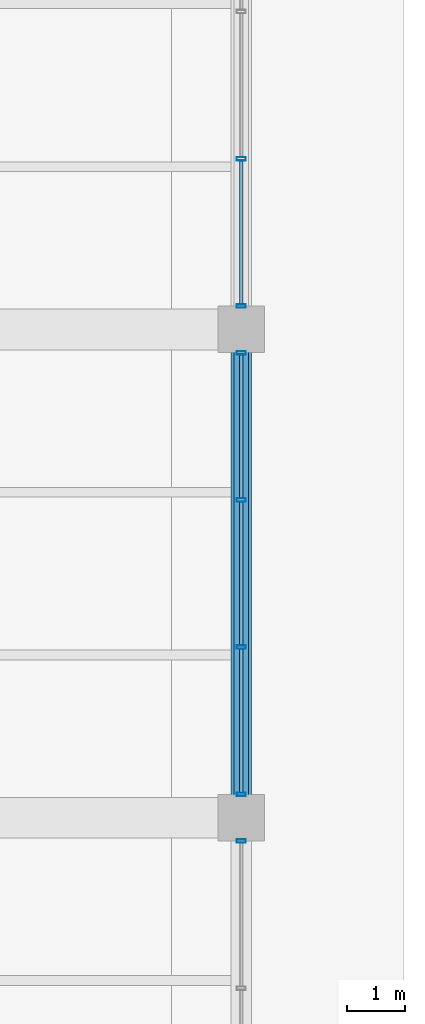
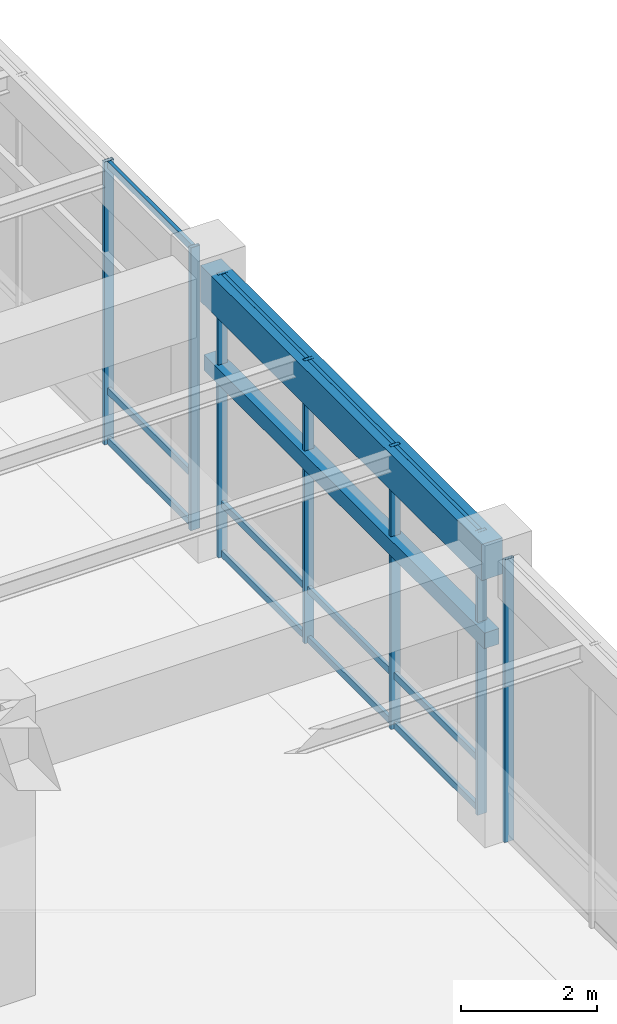
# One storey, part 103 of 157: 19 members, 2 beams, 3 elements without a shape of their own.
"""IFC4 building model written with IfcOpenShell, lengths in metres."""

from ifc_helpers import new_model, si_unit, direction, frame, origin, origin_2d, place, context, subcontext, project, spatial, rectangle, hollow_rectangle, extrude, material, material_profile, profile_set, type_object, element, aggregate, save


model = new_model("IFC4")

# Units and contexts
model_context = context("Model", 3, precision=1e-05, world=origin(), true_north=direction((0.0, 1.0)))
body_context = subcontext(model_context, "Body", "Model", "MODEL_VIEW")
ifc_project = project(units=[si_unit("LENGTHUNIT", "METRE"), si_unit("AREAUNIT", "SQUARE_METRE"), si_unit("VOLUMEUNIT", "CUBIC_METRE"), si_unit("PLANEANGLEUNIT", "RADIAN"), si_unit("MASSUNIT", "GRAM", prefix="KILO"), si_unit("THERMODYNAMICTEMPERATUREUNIT", "KELVIN"), si_unit("POWERUNIT", "WATT")], contexts=[model_context])

# Site, building, storey
site_placement = place(None, origin())
site = spatial("IfcSite", under=ifc_project, at=site_placement, CompositionType="ELEMENT")
building_placement = place(site_placement, origin())
building = spatial("IfcBuilding", under=site, at=building_placement, Name="Darbajah Civic Hall", CompositionType="ELEMENT")
storey_placement = place(building_placement, origin())
storey = spatial("IfcBuildingStorey", under=building, at=storey_placement, Name="L00", CompositionType="ELEMENT", Elevation=0.0)

# Curtain wall, member
ifc_material_1 = material(Name="Anodised Bronze Aluminium and Low-E Glazing", Category="aluminium")
curtain_wall_type = type_object("IfcCurtainWallType", Name="Unitised Curtain Wall CW-95 7600x5050", PredefinedType="USERDEFINED", material=ifc_material_1)
curtain_wall_1_placement = place(storey_placement, origin())
curtain_wall_1 = element("IfcCurtainWall", 1, at=curtain_wall_1_placement, inside=storey, type_object=curtain_wall_type, Name="L00 unitised curtain wall CW-V4-L00-S1-B0", ObjectType="UNITISED CURTAIN WALL", PredefinedType="USERDEFINED")
ifc_material_2 = material(Name="Anodised Bronze Aluminium", Category="aluminium")
ifc_material_profile_1 = material_profile(ifc_material_2, hollow_rectangle(XDim=0.06005859375, YDim=0.159912109375, WallThickness=0.00341796875, at=origin_2d()), Name="ALU MULLION 60x160")
ifc_profile_set_1 = profile_set([ifc_material_profile_1], Name="Anodised Bronze Aluminium")
member_type_1 = type_object("IfcMemberType", Name="ALU MULLION 60x160", PredefinedType="MULLION", material=ifc_profile_set_1)
member_1_placement = place(storey_placement, frame((178.199951171875, 64.39794921875, 0.0), z_axis=(0.0, 0.0, 1.0), x_axis=(0.0, 1.0, 0.0)))
member_1 = element("IfcMember", 2, at=member_1_placement, type_object=member_type_1, Name="CW-V4-L00-S1-B0 mullion 4", PredefinedType="MULLION", context=body_context, shape_type="SweptSolid", body=[
    extrude(hollow_rectangle(XDim=0.06005859375, YDim=0.159912109375, WallThickness=0.00341796875, at=origin_2d()), origin(), (0.0, 0.0, 1.0), 5.06005859375),
])
aggregate(curtain_wall_1, [member_1])

# Curtain wall, members
curtain_wall_2_placement = place(storey_placement, origin())
curtain_wall_2 = element("IfcCurtainWall", 3, at=curtain_wall_2_placement, inside=storey, type_object=curtain_wall_type, Name="L00 unitised curtain wall CW-V4-L00-S1-B1", ObjectType="UNITISED CURTAIN WALL", PredefinedType="USERDEFINED")
member_2_placement = place(storey_placement, frame((178.199951171875, 65.201904296875, 0.0), z_axis=(0.0, 0.0, 1.0), x_axis=(0.0, 1.0, 0.0)))
member_2 = element("IfcMember", 4, at=member_2_placement, type_object=member_type_1, Name="CW-V4-L00-S1-B1 mullion 1", PredefinedType="MULLION", context=body_context, shape_type="SweptSolid", body=[
    extrude(hollow_rectangle(XDim=0.06005859375, YDim=0.159912109375, WallThickness=0.00341796875, at=origin_2d()), origin(), (0.0, 0.0, 1.0), 5.06005859375),
])
member_3_placement = place(storey_placement, frame((178.199951171875, 67.73388671875, 0.0), z_axis=(0.0, 0.0, 1.0), x_axis=(0.0, 1.0, 0.0)))
member_3 = element("IfcMember", 5, at=member_3_placement, type_object=member_type_1, Name="CW-V4-L00-S1-B1 mullion 2", PredefinedType="MULLION", context=body_context, shape_type="SweptSolid", body=[
    extrude(hollow_rectangle(XDim=0.06005859375, YDim=0.159912109375, WallThickness=0.00341796875, at=origin_2d()), origin(), (0.0, 0.0, 1.0), 5.06005859375),
])
member_4_placement = place(storey_placement, frame((178.199951171875, 70.26611328125, 0.0), z_axis=(0.0, 0.0, 1.0), x_axis=(0.0, 1.0, 0.0)))
member_4 = element("IfcMember", 6, at=member_4_placement, type_object=member_type_1, Name="CW-V4-L00-S1-B1 mullion 3", PredefinedType="MULLION", context=body_context, shape_type="SweptSolid", body=[
    extrude(hollow_rectangle(XDim=0.06005859375, YDim=0.159912109375, WallThickness=0.00341796875, at=origin_2d()), origin(), (0.0, 0.0, 1.0), 5.06005859375),
])
member_5_placement = place(storey_placement, frame((178.199951171875, 72.798095703125, 0.0), z_axis=(0.0, 0.0, 1.0), x_axis=(0.0, 1.0, 0.0)))
member_5 = element("IfcMember", 7, at=member_5_placement, type_object=member_type_1, Name="CW-V4-L00-S1-B1 mullion 4", PredefinedType="MULLION", context=body_context, shape_type="SweptSolid", body=[
    extrude(hollow_rectangle(XDim=0.06005859375, YDim=0.159912109375, WallThickness=0.00341796875, at=origin_2d()), origin(), (0.0, 0.0, 1.0), 5.06005859375),
])

curtain_wall_3_placement = place(storey_placement, origin())
curtain_wall_3 = element("IfcCurtainWall", 8, at=curtain_wall_3_placement, inside=storey, type_object=curtain_wall_type, Name="L00 unitised curtain wall CW-V4-L00-S1-B2", ObjectType="UNITISED CURTAIN WALL", PredefinedType="USERDEFINED")
member_6_placement = place(storey_placement, frame((178.199951171875, 73.60205078125, 0.0), z_axis=(0.0, 0.0, 1.0), x_axis=(0.0, 1.0, 0.0)))
member_6 = element("IfcMember", 9, at=member_6_placement, type_object=member_type_1, Name="CW-V4-L00-S1-B2 mullion 1", PredefinedType="MULLION", context=body_context, shape_type="SweptSolid", body=[
    extrude(hollow_rectangle(XDim=0.06005859375, YDim=0.159912109375, WallThickness=0.00341796875, at=origin_2d()), origin(), (0.0, 0.0, 1.0), 5.06005859375),
])
member_7_placement = place(storey_placement, frame((178.199951171875, 76.134033203125, 0.0), z_axis=(0.0, 0.0, 1.0), x_axis=(0.0, 1.0, 0.0)))
member_7 = element("IfcMember", 10, at=member_7_placement, type_object=member_type_1, Name="CW-V4-L00-S1-B2 mullion 2", PredefinedType="MULLION", context=body_context, shape_type="SweptSolid", body=[
    extrude(hollow_rectangle(XDim=0.06005859375, YDim=0.159912109375, WallThickness=0.00341796875, at=origin_2d()), origin(), (0.0, 0.0, 1.0), 5.06005859375),
])

# Member
ifc_material_profile_2 = material_profile(ifc_material_2, hollow_rectangle(XDim=0.06005859375, YDim=0.1201171875, WallThickness=0.003173828125, at=origin_2d()), Name="ALU TRANSOM 60x120")
ifc_profile_set_2 = profile_set([ifc_material_profile_2], Name="Anodised Bronze Aluminium")
member_type_2 = type_object("IfcMemberType", Name="ALU TRANSOM 60x120", PredefinedType="USERDEFINED", material=ifc_profile_set_2)
member_8_placement = place(storey_placement, frame((178.199951171875, 65.237060546875, 0.06005859375), z_axis=(0.0, 1.0, 0.0), x_axis=(-1.0, 0.0, 0.0)))
member_8 = element("IfcMember", 11, at=member_8_placement, type_object=member_type_2, Name="CW-V4-L00-S1-B1 transom 1.1", ObjectType="TRANSOM", PredefinedType="USERDEFINED", context=body_context, shape_type="SweptSolid", body=[
    extrude(hollow_rectangle(XDim=0.06005859375, YDim=0.1201171875, WallThickness=0.003173828125, at=origin_2d()), origin(), (0.0, 0.0, 1.0), 2.4619140625),
])

member_9_placement = place(storey_placement, frame((178.199951171875, 65.237060546875, 0.949951171875), z_axis=(0.0, 1.0, 0.0), x_axis=(-1.0, 0.0, 0.0)))
member_9 = element("IfcMember", 12, at=member_9_placement, type_object=member_type_2, Name="CW-V4-L00-S1-B1 transom 1.2", ObjectType="TRANSOM", PredefinedType="USERDEFINED", context=body_context, shape_type="SweptSolid", body=[
    extrude(hollow_rectangle(XDim=0.06005859375, YDim=0.1201171875, WallThickness=0.003173828125, at=origin_2d()), origin(), (0.0, 0.0, 1.0), 2.4619140625),
])

member_10_placement = place(storey_placement, frame((178.199951171875, 65.237060546875, 5.0), z_axis=(0.0, 1.0, 0.0), x_axis=(-1.0, 0.0, 0.0)))
member_10 = element("IfcMember", 13, at=member_10_placement, type_object=member_type_2, Name="CW-V4-L00-S1-B1 transom 1.3", ObjectType="TRANSOM", PredefinedType="USERDEFINED", context=body_context, shape_type="SweptSolid", body=[
    extrude(hollow_rectangle(XDim=0.06005859375, YDim=0.1201171875, WallThickness=0.003173828125, at=origin_2d()), origin(), (0.0, 0.0, 1.0), 2.4619140625),
])

member_11_placement = place(storey_placement, frame((178.199951171875, 67.76904296875, 0.06005859375), z_axis=(0.0, 1.0, 0.0), x_axis=(-1.0, 0.0, 0.0)))
member_11 = element("IfcMember", 14, at=member_11_placement, type_object=member_type_2, Name="CW-V4-L00-S1-B1 transom 2.1", ObjectType="TRANSOM", PredefinedType="USERDEFINED", context=body_context, shape_type="SweptSolid", body=[
    extrude(hollow_rectangle(XDim=0.06005859375, YDim=0.1201171875, WallThickness=0.003173828125, at=origin_2d()), origin(), (0.0, 0.0, 1.0), 2.4619140625),
])

member_12_placement = place(storey_placement, frame((178.199951171875, 67.76904296875, 0.949951171875), z_axis=(0.0, 1.0, 0.0), x_axis=(-1.0, 0.0, 0.0)))
member_12 = element("IfcMember", 15, at=member_12_placement, type_object=member_type_2, Name="CW-V4-L00-S1-B1 transom 2.2", ObjectType="TRANSOM", PredefinedType="USERDEFINED", context=body_context, shape_type="SweptSolid", body=[
    extrude(hollow_rectangle(XDim=0.06005859375, YDim=0.1201171875, WallThickness=0.003173828125, at=origin_2d()), origin(), (0.0, 0.0, 1.0), 2.4619140625),
])

member_13_placement = place(storey_placement, frame((178.199951171875, 67.76904296875, 5.0), z_axis=(0.0, 1.0, 0.0), x_axis=(-1.0, 0.0, 0.0)))
member_13 = element("IfcMember", 16, at=member_13_placement, type_object=member_type_2, Name="CW-V4-L00-S1-B1 transom 2.3", ObjectType="TRANSOM", PredefinedType="USERDEFINED", context=body_context, shape_type="SweptSolid", body=[
    extrude(hollow_rectangle(XDim=0.06005859375, YDim=0.1201171875, WallThickness=0.003173828125, at=origin_2d()), origin(), (0.0, 0.0, 1.0), 2.4619140625),
])

member_14_placement = place(storey_placement, frame((178.199951171875, 70.301025390625, 0.06005859375), z_axis=(0.0, 1.0, 0.0), x_axis=(-1.0, 0.0, 0.0)))
member_14 = element("IfcMember", 17, at=member_14_placement, type_object=member_type_2, Name="CW-V4-L00-S1-B1 transom 3.1", ObjectType="TRANSOM", PredefinedType="USERDEFINED", context=body_context, shape_type="SweptSolid", body=[
    extrude(hollow_rectangle(XDim=0.06005859375, YDim=0.1201171875, WallThickness=0.003173828125, at=origin_2d()), origin(), (0.0, 0.0, 1.0), 2.4619140625),
])

member_15_placement = place(storey_placement, frame((178.199951171875, 70.301025390625, 0.949951171875), z_axis=(0.0, 1.0, 0.0), x_axis=(-1.0, 0.0, 0.0)))
member_15 = element("IfcMember", 18, at=member_15_placement, type_object=member_type_2, Name="CW-V4-L00-S1-B1 transom 3.2", ObjectType="TRANSOM", PredefinedType="USERDEFINED", context=body_context, shape_type="SweptSolid", body=[
    extrude(hollow_rectangle(XDim=0.06005859375, YDim=0.1201171875, WallThickness=0.003173828125, at=origin_2d()), origin(), (0.0, 0.0, 1.0), 2.4619140625),
])

member_16_placement = place(storey_placement, frame((178.199951171875, 70.301025390625, 5.0), z_axis=(0.0, 1.0, 0.0), x_axis=(-1.0, 0.0, 0.0)))
member_16 = element("IfcMember", 19, at=member_16_placement, type_object=member_type_2, Name="CW-V4-L00-S1-B1 transom 3.3", ObjectType="TRANSOM", PredefinedType="USERDEFINED", context=body_context, shape_type="SweptSolid", body=[
    extrude(hollow_rectangle(XDim=0.06005859375, YDim=0.1201171875, WallThickness=0.003173828125, at=origin_2d()), origin(), (0.0, 0.0, 1.0), 2.4619140625),
])

aggregate(curtain_wall_2, [member_2, member_3, member_4, member_5, member_8, member_9, member_10, member_11, member_12, member_13, member_14, member_15, member_16])

member_17_placement = place(storey_placement, frame((178.199951171875, 73.636962890625, 0.06005859375), z_axis=(0.0, 1.0, 0.0), x_axis=(-1.0, 0.0, 0.0)))
member_17 = element("IfcMember", 20, at=member_17_placement, type_object=member_type_2, Name="CW-V4-L00-S1-B2 transom 1.1", ObjectType="TRANSOM", PredefinedType="USERDEFINED", context=body_context, shape_type="SweptSolid", body=[
    extrude(hollow_rectangle(XDim=0.06005859375, YDim=0.1201171875, WallThickness=0.003173828125, at=origin_2d()), origin(), (0.0, 0.0, 1.0), 2.462158203125),
])

member_18_placement = place(storey_placement, frame((178.199951171875, 73.636962890625, 0.949951171875), z_axis=(0.0, 1.0, 0.0), x_axis=(-1.0, 0.0, 0.0)))
member_18 = element("IfcMember", 21, at=member_18_placement, type_object=member_type_2, Name="CW-V4-L00-S1-B2 transom 1.2", ObjectType="TRANSOM", PredefinedType="USERDEFINED", context=body_context, shape_type="SweptSolid", body=[
    extrude(hollow_rectangle(XDim=0.06005859375, YDim=0.1201171875, WallThickness=0.003173828125, at=origin_2d()), origin(), (0.0, 0.0, 1.0), 2.462158203125),
])

member_19_placement = place(storey_placement, frame((178.199951171875, 73.636962890625, 5.0), z_axis=(0.0, 1.0, 0.0), x_axis=(-1.0, 0.0, 0.0)))
member_19 = element("IfcMember", 22, at=member_19_placement, type_object=member_type_2, Name="CW-V4-L00-S1-B2 transom 1.3", ObjectType="TRANSOM", PredefinedType="USERDEFINED", context=body_context, shape_type="SweptSolid", body=[
    extrude(hollow_rectangle(XDim=0.06005859375, YDim=0.1201171875, WallThickness=0.003173828125, at=origin_2d()), origin(), (0.0, 0.0, 1.0), 2.462158203125),
])

aggregate(curtain_wall_3, [member_6, member_7, member_17, member_18, member_19])

# Beams
ifc_material_3 = material(Name="Concrete C45/55", Category="concrete")
ifc_material_profile_3 = material_profile(ifc_material_3, rectangle(XDim=0.25, YDim=0.280029296875, at=origin_2d()), Name="RC LINTEL 250x280")
ifc_profile_set_3 = profile_set([ifc_material_profile_3], Name="Concrete C45/55")
beam_type_1 = type_object("IfcBeamType", Name="RC LINTEL 250x280", PredefinedType="LINTEL", material=ifc_profile_set_3)
beam_1_placement = place(storey_placement, frame((178.199951171875, 64.889892578125, 3.31005859375), z_axis=(0.0, 1.0, 0.0), x_axis=(-1.0, 0.0, 0.0)))
element("IfcBeam", 23, at=beam_1_placement, inside=storey, type_object=beam_type_1, Name="L00 stone portal lintel LN-2528", PredefinedType="LINTEL", context=body_context, shape_type="SweptSolid", body=[
    extrude(rectangle(XDim=0.25, YDim=0.280029296875, at=origin_2d()), origin(), (0.0, 0.0, 1.0), 8.22021484375),
])
ifc_material_profile_4 = material_profile(ifc_material_3, rectangle(XDim=0.35009765625, YDim=0.64990234375, at=origin_2d()), Name="RC SPANDREL 350x650")
ifc_profile_set_4 = profile_set([ifc_material_profile_4], Name="Concrete C45/55")
beam_type_2 = type_object("IfcBeamType", Name="RC SPANDREL 350x650", PredefinedType="SPANDREL", material=ifc_profile_set_4)
beam_2_placement = place(storey_placement, frame((178.199951171875, 64.8798828125, 4.735107421875), z_axis=(0.0, 1.0, 0.0), x_axis=(-1.0, 0.0, 0.0)))
element("IfcBeam", 24, at=beam_2_placement, inside=storey, type_object=beam_type_2, Name="L00 beam SP-3565", PredefinedType="SPANDREL", context=body_context, shape_type="SweptSolid", body=[
    extrude(rectangle(XDim=0.35009765625, YDim=0.64990234375, at=origin_2d()), origin(), (0.0, 0.0, 1.0), 8.240234375),
])

save(model, "model.ifc")
